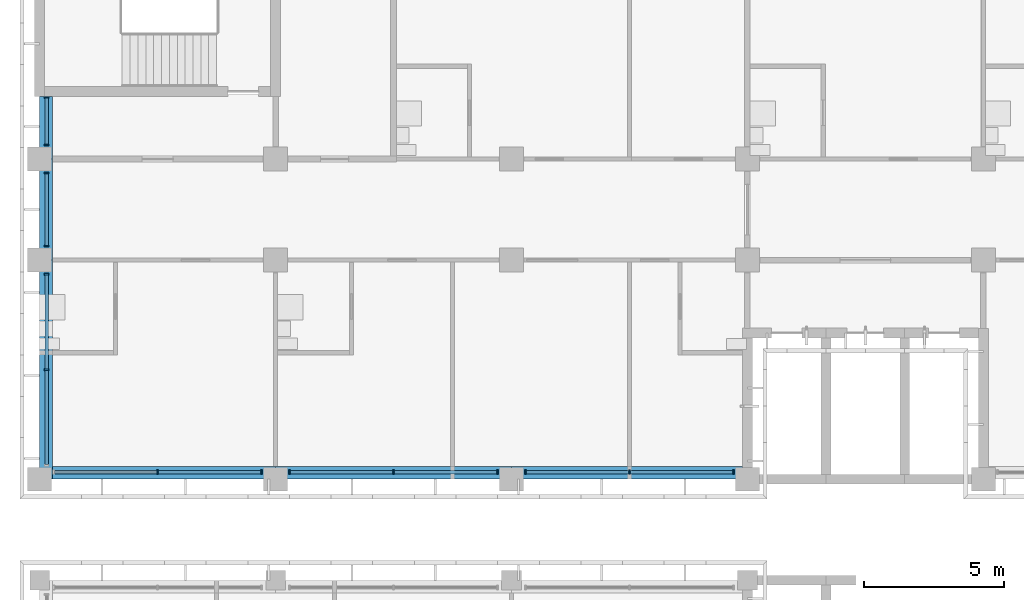
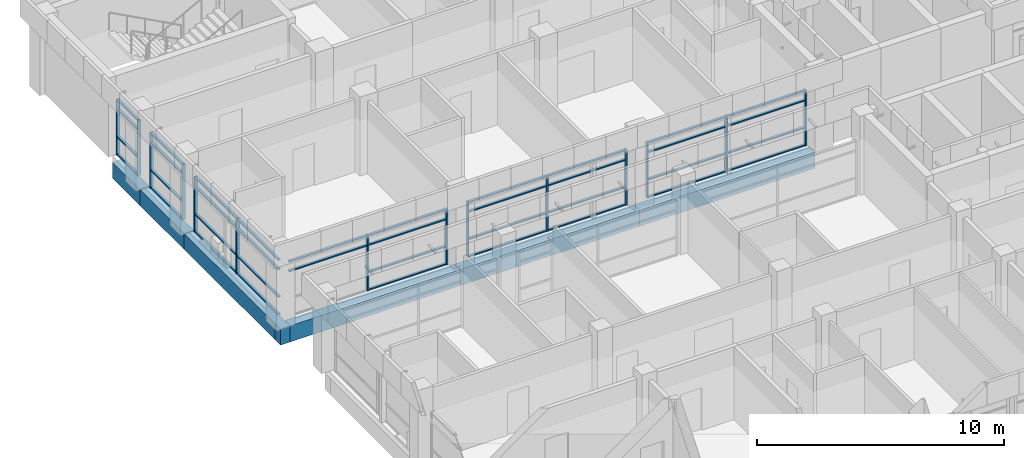
# One storey, part 5 of 74: 52 members, 6 beams, 6 elements without a shape of their own.
"""IFC4 building model written with IfcOpenShell, lengths in metres."""

from ifc_helpers import new_model, si_unit, direction, frame, origin, origin_2d, place, context, subcontext, project, spatial, rectangle, extrude, material, material_profile, profile_set, type_object, element, aggregate, save


model = new_model("IFC4")

# Units and contexts
model_context = context("Model", 3, precision=1e-05, world=origin(), true_north=direction((0.0, 1.0)))
body_context = subcontext(model_context, "Body", "Model", "MODEL_VIEW")
ifc_project = project(units=[si_unit("LENGTHUNIT", "METRE"), si_unit("AREAUNIT", "SQUARE_METRE"), si_unit("VOLUMEUNIT", "CUBIC_METRE"), si_unit("PLANEANGLEUNIT", "RADIAN"), si_unit("MASSUNIT", "GRAM", prefix="KILO")], contexts=[model_context])

# Site, building, storey
site_placement = place(None, origin())
site = spatial("IfcSite", under=ifc_project, at=site_placement, CompositionType="ELEMENT")
building_placement = place(site_placement, origin())
building = spatial("IfcBuilding", under=site, at=building_placement, Name="Bougainvillea Quay General Hospital", CompositionType="ELEMENT")
storey_placement = place(building_placement, frame((0.0, 0.0, 21.0)))
storey = spatial("IfcBuildingStorey", under=building, at=storey_placement, Name="L04", CompositionType="ELEMENT", Elevation=21.0)

# Curtain wall, members
ifc_material_1 = material(Name="Aluminium curtain wall system, powder-coated glazed", Category="aluminium")
curtain_wall_type_1 = type_object("IfcCurtainWallType", Name="Unitised curtain wall CW-1755", PredefinedType="NOTDEFINED", material=ifc_material_1)
curtain_wall_1_placement = place(storey_placement, origin())
curtain_wall_1 = element("IfcCurtainWall", 1, at=curtain_wall_1_placement, inside=storey, type_object=curtain_wall_type_1, Name="CW-4200 00", PredefinedType="NOTDEFINED")
ifc_material_2 = material(Name="Aluminium mullion, powder-coated charcoal", Category="aluminium")
ifc_material_profile_1 = material_profile(ifc_material_2, rectangle(XDim=0.159912109375, YDim=0.06005859375, at=origin_2d()))
ifc_profile_set_1 = profile_set([ifc_material_profile_1], Name="Aluminium mullion, powder-coated charcoal")
member_type_1 = type_object("IfcMemberType", Name="Curtain wall mullion 160x60", PredefinedType="MULLION", material=ifc_profile_set_1)
member_1_placement = place(storey_placement, frame((42.25, 153.9951171875, 0.0), z_axis=(0.0, 0.0, 1.0), x_axis=(1.0, 0.0, 0.0)))
member_1 = element("IfcMember", 2, at=member_1_placement, type_object=member_type_1, Name="CW-4200 mullion 1", PredefinedType="MULLION", context=body_context, shape_type="SweptSolid", body=[
    extrude(rectangle(XDim=0.159912109375, YDim=0.06005859375, at=origin_2d()), origin(), (0.0, 0.0, 1.0), 2.75),
])
member_2_placement = place(storey_placement, frame((42.25, 152.300048828125, 0.0), z_axis=(0.0, 0.0, 1.0), x_axis=(1.0, 0.0, 0.0)))
member_2 = element("IfcMember", 3, at=member_2_placement, type_object=member_type_1, Name="CW-4200 mullion 2", PredefinedType="MULLION", context=body_context, shape_type="SweptSolid", body=[
    extrude(rectangle(XDim=0.159912109375, YDim=0.06005859375, at=origin_2d()), origin(), (0.0, 0.0, 1.0), 2.75),
])

curtain_wall_type_2 = type_object("IfcCurtainWallType", Name="Unitised curtain wall CW-2660", PredefinedType="NOTDEFINED", material=ifc_material_1)
curtain_wall_2_placement = place(storey_placement, origin())
curtain_wall_2 = element("IfcCurtainWall", 4, at=curtain_wall_2_placement, inside=storey, type_object=curtain_wall_type_2, Name="CW-4200 01", PredefinedType="NOTDEFINED")
member_3_placement = place(storey_placement, frame((42.25, 151.300048828125, 0.0), z_axis=(0.0, 0.0, 1.0), x_axis=(1.0, 0.0, 0.0)))
member_3 = element("IfcMember", 5, at=member_3_placement, type_object=member_type_1, Name="CW-4200 mullion 1", PredefinedType="MULLION", context=body_context, shape_type="SweptSolid", body=[
    extrude(rectangle(XDim=0.159912109375, YDim=0.06005859375, at=origin_2d()), origin(), (0.0, 0.0, 1.0), 2.75),
])
member_4_placement = place(storey_placement, frame((42.25, 148.699951171875, 0.0), z_axis=(0.0, 0.0, 1.0), x_axis=(1.0, 0.0, 0.0)))
member_4 = element("IfcMember", 6, at=member_4_placement, type_object=member_type_1, Name="CW-4200 mullion 2", PredefinedType="MULLION", context=body_context, shape_type="SweptSolid", body=[
    extrude(rectangle(XDim=0.159912109375, YDim=0.06005859375, at=origin_2d()), origin(), (0.0, 0.0, 1.0), 2.75),
])

curtain_wall_type_3 = type_object("IfcCurtainWallType", Name="Unitised curtain wall CW-3430", PredefinedType="NOTDEFINED", material=ifc_material_1)
curtain_wall_3_placement = place(storey_placement, origin())
curtain_wall_3 = element("IfcCurtainWall", 7, at=curtain_wall_3_placement, inside=storey, type_object=curtain_wall_type_3, Name="CW-4200 02", PredefinedType="NOTDEFINED")
member_5_placement = place(storey_placement, frame((42.25, 147.699951171875, 0.0), z_axis=(0.0, 0.0, 1.0), x_axis=(1.0, 0.0, 0.0)))
member_5 = element("IfcMember", 8, at=member_5_placement, type_object=member_type_1, Name="CW-4200 mullion 1", PredefinedType="MULLION", context=body_context, shape_type="SweptSolid", body=[
    extrude(rectangle(XDim=0.159912109375, YDim=0.06005859375, at=origin_2d()), origin(), (0.0, 0.0, 1.0), 2.75),
])
member_6_placement = place(storey_placement, frame((42.25, 144.300048828125, 0.0), z_axis=(0.0, 0.0, 1.0), x_axis=(1.0, 0.0, 0.0)))
member_6 = element("IfcMember", 9, at=member_6_placement, type_object=member_type_1, Name="CW-4200 mullion 2", PredefinedType="MULLION", context=body_context, shape_type="SweptSolid", body=[
    extrude(rectangle(XDim=0.159912109375, YDim=0.06005859375, at=origin_2d()), origin(), (0.0, 0.0, 1.0), 2.75),
])

curtain_wall_type_4 = type_object("IfcCurtainWallType", Name="Unitised curtain wall CW-3730", PredefinedType="NOTDEFINED", material=ifc_material_1)
curtain_wall_4_placement = place(storey_placement, origin())
curtain_wall_4 = element("IfcCurtainWall", 10, at=curtain_wall_4_placement, inside=storey, type_object=curtain_wall_type_4, Name="CW-4200 00", PredefinedType="NOTDEFINED")
member_7_placement = place(storey_placement, frame((46.199951171875, 140.64990234375, 0.0), z_axis=(0.0, 0.0, 1.0), x_axis=(0.0, 1.0, 0.0)))
member_7 = element("IfcMember", 11, at=member_7_placement, type_object=member_type_1, Name="CW-4200 mullion 2", PredefinedType="MULLION", context=body_context, shape_type="SweptSolid", body=[
    extrude(rectangle(XDim=0.159912109375, YDim=0.06005859375, at=origin_2d()), origin(), (0.0, 0.0, 1.0), 2.75),
])
member_8_placement = place(storey_placement, frame((49.89990234375, 140.64990234375, 0.0), z_axis=(0.0, 0.0, 1.0), x_axis=(0.0, 1.0, 0.0)))
member_8 = element("IfcMember", 12, at=member_8_placement, type_object=member_type_1, Name="CW-4200 mullion 3", PredefinedType="MULLION", context=body_context, shape_type="SweptSolid", body=[
    extrude(rectangle(XDim=0.159912109375, YDim=0.06005859375, at=origin_2d()), origin(), (0.0, 0.0, 1.0), 2.75),
])

curtain_wall_5_placement = place(storey_placement, origin())
curtain_wall_5 = element("IfcCurtainWall", 13, at=curtain_wall_5_placement, inside=storey, type_object=curtain_wall_type_4, Name="CW-4200 01", PredefinedType="NOTDEFINED")
member_9_placement = place(storey_placement, frame((50.89990234375, 140.64990234375, 0.0), z_axis=(0.0, 0.0, 1.0), x_axis=(0.0, 1.0, 0.0)))
member_9 = element("IfcMember", 14, at=member_9_placement, type_object=member_type_1, Name="CW-4200 mullion 1", PredefinedType="MULLION", context=body_context, shape_type="SweptSolid", body=[
    extrude(rectangle(XDim=0.159912109375, YDim=0.06005859375, at=origin_2d()), origin(), (0.0, 0.0, 1.0), 2.75),
])
member_10_placement = place(storey_placement, frame((54.60009765625, 140.64990234375, 0.0), z_axis=(0.0, 0.0, 1.0), x_axis=(0.0, 1.0, 0.0)))
member_10 = element("IfcMember", 15, at=member_10_placement, type_object=member_type_1, Name="CW-4200 mullion 2", PredefinedType="MULLION", context=body_context, shape_type="SweptSolid", body=[
    extrude(rectangle(XDim=0.159912109375, YDim=0.06005859375, at=origin_2d()), origin(), (0.0, 0.0, 1.0), 2.75),
])
member_11_placement = place(storey_placement, frame((58.300048828125, 140.64990234375, 0.0), z_axis=(0.0, 0.0, 1.0), x_axis=(0.0, 1.0, 0.0)))
member_11 = element("IfcMember", 16, at=member_11_placement, type_object=member_type_1, Name="CW-4200 mullion 3", PredefinedType="MULLION", context=body_context, shape_type="SweptSolid", body=[
    extrude(rectangle(XDim=0.159912109375, YDim=0.06005859375, at=origin_2d()), origin(), (0.0, 0.0, 1.0), 2.75),
])

curtain_wall_6_placement = place(storey_placement, origin())
curtain_wall_6 = element("IfcCurtainWall", 17, at=curtain_wall_6_placement, inside=storey, type_object=curtain_wall_type_4, Name="CW-4200 02", PredefinedType="NOTDEFINED")
member_12_placement = place(storey_placement, frame((59.300048828125, 140.64990234375, 0.0), z_axis=(0.0, 0.0, 1.0), x_axis=(0.0, 1.0, 0.0)))
member_12 = element("IfcMember", 18, at=member_12_placement, type_object=member_type_1, Name="CW-4200 mullion 1", PredefinedType="MULLION", context=body_context, shape_type="SweptSolid", body=[
    extrude(rectangle(XDim=0.159912109375, YDim=0.06005859375, at=origin_2d()), origin(), (0.0, 0.0, 1.0), 2.75),
])
member_13_placement = place(storey_placement, frame((63.0, 140.64990234375, 0.0), z_axis=(0.0, 0.0, 1.0), x_axis=(0.0, 1.0, 0.0)))
member_13 = element("IfcMember", 19, at=member_13_placement, type_object=member_type_1, Name="CW-4200 mullion 2", PredefinedType="MULLION", context=body_context, shape_type="SweptSolid", body=[
    extrude(rectangle(XDim=0.159912109375, YDim=0.06005859375, at=origin_2d()), origin(), (0.0, 0.0, 1.0), 2.75),
])
member_14_placement = place(storey_placement, frame((66.699951171875, 140.64990234375, 0.0), z_axis=(0.0, 0.0, 1.0), x_axis=(0.0, 1.0, 0.0)))
member_14 = element("IfcMember", 20, at=member_14_placement, type_object=member_type_1, Name="CW-4200 mullion 3", PredefinedType="MULLION", context=body_context, shape_type="SweptSolid", body=[
    extrude(rectangle(XDim=0.159912109375, YDim=0.06005859375, at=origin_2d()), origin(), (0.0, 0.0, 1.0), 2.75),
])

# Member
ifc_material_3 = material(Name="Aluminium transom, powder-coated charcoal", Category="aluminium")
ifc_material_profile_2 = material_profile(ifc_material_3, rectangle(XDim=0.1201171875, YDim=0.06005859375, at=origin_2d()))
ifc_profile_set_2 = profile_set([ifc_material_profile_2], Name="Aluminium transom, powder-coated charcoal")
member_type_2 = type_object("IfcMemberType", Name="Curtain wall transom 120x60", PredefinedType="USERDEFINED", material=ifc_profile_set_2)
member_15_placement = place(storey_placement, frame((42.25, 153.965087890625, 0.030029296875), z_axis=(0.0, -1.0, 0.0), x_axis=(1.0, 0.0, 0.0)))
member_15 = element("IfcMember", 21, at=member_15_placement, type_object=member_type_2, Name="CW-4200 transom 1.1", ObjectType="TRANSOM", PredefinedType="USERDEFINED", context=body_context, shape_type="SweptSolid", body=[
    extrude(rectangle(XDim=0.1201171875, YDim=0.06005859375, at=origin_2d()), origin(), (0.0, 0.0, 1.0), 1.635009765625),
])

member_16_placement = place(storey_placement, frame((42.25, 153.965087890625, 0.89990234375), z_axis=(0.0, -1.0, 0.0), x_axis=(1.0, 0.0, 0.0)))
member_16 = element("IfcMember", 22, at=member_16_placement, type_object=member_type_2, Name="CW-4200 transom 1.2", ObjectType="TRANSOM", PredefinedType="USERDEFINED", context=body_context, shape_type="SweptSolid", body=[
    extrude(rectangle(XDim=0.1201171875, YDim=0.06005859375, at=origin_2d()), origin(), (0.0, 0.0, 1.0), 1.635009765625),
])

member_17_placement = place(storey_placement, frame((42.25, 153.965087890625, 2.25), z_axis=(0.0, -1.0, 0.0), x_axis=(1.0, 0.0, 0.0)))
member_17 = element("IfcMember", 23, at=member_17_placement, type_object=member_type_2, Name="CW-4200 transom 1.3", ObjectType="TRANSOM", PredefinedType="USERDEFINED", context=body_context, shape_type="SweptSolid", body=[
    extrude(rectangle(XDim=0.1201171875, YDim=0.06005859375, at=origin_2d()), origin(), (0.0, 0.0, 1.0), 1.635009765625),
])

member_18_placement = place(storey_placement, frame((42.25, 153.965087890625, 2.719970703125), z_axis=(0.0, -1.0, 0.0), x_axis=(1.0, 0.0, 0.0)))
member_18 = element("IfcMember", 24, at=member_18_placement, type_object=member_type_2, Name="CW-4200 transom 1.4", ObjectType="TRANSOM", PredefinedType="USERDEFINED", context=body_context, shape_type="SweptSolid", body=[
    extrude(rectangle(XDim=0.1201171875, YDim=0.06005859375, at=origin_2d()), origin(), (0.0, 0.0, 1.0), 1.635009765625),
])

aggregate(curtain_wall_1, [member_1, member_2, member_15, member_16, member_17, member_18])

member_19_placement = place(storey_placement, frame((42.25, 151.27001953125, 0.030029296875), z_axis=(0.0, -1.0, 0.0), x_axis=(1.0, 0.0, 0.0)))
member_19 = element("IfcMember", 25, at=member_19_placement, type_object=member_type_2, Name="CW-4200 transom 1.1", ObjectType="TRANSOM", PredefinedType="USERDEFINED", context=body_context, shape_type="SweptSolid", body=[
    extrude(rectangle(XDim=0.1201171875, YDim=0.06005859375, at=origin_2d()), origin(), (0.0, 0.0, 1.0), 2.5400390625),
])

member_20_placement = place(storey_placement, frame((42.25, 151.27001953125, 0.89990234375), z_axis=(0.0, -1.0, 0.0), x_axis=(1.0, 0.0, 0.0)))
member_20 = element("IfcMember", 26, at=member_20_placement, type_object=member_type_2, Name="CW-4200 transom 1.2", ObjectType="TRANSOM", PredefinedType="USERDEFINED", context=body_context, shape_type="SweptSolid", body=[
    extrude(rectangle(XDim=0.1201171875, YDim=0.06005859375, at=origin_2d()), origin(), (0.0, 0.0, 1.0), 2.5400390625),
])

member_21_placement = place(storey_placement, frame((42.25, 151.27001953125, 2.25), z_axis=(0.0, -1.0, 0.0), x_axis=(1.0, 0.0, 0.0)))
member_21 = element("IfcMember", 27, at=member_21_placement, type_object=member_type_2, Name="CW-4200 transom 1.3", ObjectType="TRANSOM", PredefinedType="USERDEFINED", context=body_context, shape_type="SweptSolid", body=[
    extrude(rectangle(XDim=0.1201171875, YDim=0.06005859375, at=origin_2d()), origin(), (0.0, 0.0, 1.0), 2.5400390625),
])

member_22_placement = place(storey_placement, frame((42.25, 151.27001953125, 2.719970703125), z_axis=(0.0, -1.0, 0.0), x_axis=(1.0, 0.0, 0.0)))
member_22 = element("IfcMember", 28, at=member_22_placement, type_object=member_type_2, Name="CW-4200 transom 1.4", ObjectType="TRANSOM", PredefinedType="USERDEFINED", context=body_context, shape_type="SweptSolid", body=[
    extrude(rectangle(XDim=0.1201171875, YDim=0.06005859375, at=origin_2d()), origin(), (0.0, 0.0, 1.0), 2.5400390625),
])

aggregate(curtain_wall_2, [member_3, member_4, member_19, member_20, member_21, member_22])

member_23_placement = place(storey_placement, frame((42.25, 147.669921875, 0.030029296875), z_axis=(0.0, -1.0, 0.0), x_axis=(1.0, 0.0, 0.0)))
member_23 = element("IfcMember", 29, at=member_23_placement, type_object=member_type_2, Name="CW-4200 transom 1.1", ObjectType="TRANSOM", PredefinedType="USERDEFINED", context=body_context, shape_type="SweptSolid", body=[
    extrude(rectangle(XDim=0.1201171875, YDim=0.06005859375, at=origin_2d()), origin(), (0.0, 0.0, 1.0), 3.33984375),
])

member_24_placement = place(storey_placement, frame((42.25, 147.669921875, 0.89990234375), z_axis=(0.0, -1.0, 0.0), x_axis=(1.0, 0.0, 0.0)))
member_24 = element("IfcMember", 30, at=member_24_placement, type_object=member_type_2, Name="CW-4200 transom 1.2", ObjectType="TRANSOM", PredefinedType="USERDEFINED", context=body_context, shape_type="SweptSolid", body=[
    extrude(rectangle(XDim=0.1201171875, YDim=0.06005859375, at=origin_2d()), origin(), (0.0, 0.0, 1.0), 3.33984375),
])

member_25_placement = place(storey_placement, frame((42.25, 147.669921875, 2.25), z_axis=(0.0, -1.0, 0.0), x_axis=(1.0, 0.0, 0.0)))
member_25 = element("IfcMember", 31, at=member_25_placement, type_object=member_type_2, Name="CW-4200 transom 1.3", ObjectType="TRANSOM", PredefinedType="USERDEFINED", context=body_context, shape_type="SweptSolid", body=[
    extrude(rectangle(XDim=0.1201171875, YDim=0.06005859375, at=origin_2d()), origin(), (0.0, 0.0, 1.0), 3.33984375),
])

member_26_placement = place(storey_placement, frame((42.25, 147.669921875, 2.719970703125), z_axis=(0.0, -1.0, 0.0), x_axis=(1.0, 0.0, 0.0)))
member_26 = element("IfcMember", 32, at=member_26_placement, type_object=member_type_2, Name="CW-4200 transom 1.4", ObjectType="TRANSOM", PredefinedType="USERDEFINED", context=body_context, shape_type="SweptSolid", body=[
    extrude(rectangle(XDim=0.1201171875, YDim=0.06005859375, at=origin_2d()), origin(), (0.0, 0.0, 1.0), 3.33984375),
])

member_27_placement = place(storey_placement, frame((42.25, 144.27001953125, 0.030029296875), z_axis=(0.0, -1.0, 0.0), x_axis=(1.0, 0.0, 0.0)))
member_27 = element("IfcMember", 33, at=member_27_placement, type_object=member_type_2, Name="CW-4200 transom 2.1", ObjectType="TRANSOM", PredefinedType="USERDEFINED", context=body_context, shape_type="SweptSolid", body=[
    extrude(rectangle(XDim=0.1201171875, YDim=0.06005859375, at=origin_2d()), origin(), (0.0, 0.0, 1.0), 3.340087890625),
])

member_28_placement = place(storey_placement, frame((42.25, 144.27001953125, 0.89990234375), z_axis=(0.0, -1.0, 0.0), x_axis=(1.0, 0.0, 0.0)))
member_28 = element("IfcMember", 34, at=member_28_placement, type_object=member_type_2, Name="CW-4200 transom 2.2", ObjectType="TRANSOM", PredefinedType="USERDEFINED", context=body_context, shape_type="SweptSolid", body=[
    extrude(rectangle(XDim=0.1201171875, YDim=0.06005859375, at=origin_2d()), origin(), (0.0, 0.0, 1.0), 3.340087890625),
])

member_29_placement = place(storey_placement, frame((42.25, 144.27001953125, 2.25), z_axis=(0.0, -1.0, 0.0), x_axis=(1.0, 0.0, 0.0)))
member_29 = element("IfcMember", 35, at=member_29_placement, type_object=member_type_2, Name="CW-4200 transom 2.3", ObjectType="TRANSOM", PredefinedType="USERDEFINED", context=body_context, shape_type="SweptSolid", body=[
    extrude(rectangle(XDim=0.1201171875, YDim=0.06005859375, at=origin_2d()), origin(), (0.0, 0.0, 1.0), 3.340087890625),
])

member_30_placement = place(storey_placement, frame((42.25, 144.27001953125, 2.719970703125), z_axis=(0.0, -1.0, 0.0), x_axis=(1.0, 0.0, 0.0)))
member_30 = element("IfcMember", 36, at=member_30_placement, type_object=member_type_2, Name="CW-4200 transom 2.4", ObjectType="TRANSOM", PredefinedType="USERDEFINED", context=body_context, shape_type="SweptSolid", body=[
    extrude(rectangle(XDim=0.1201171875, YDim=0.06005859375, at=origin_2d()), origin(), (0.0, 0.0, 1.0), 3.340087890625),
])

aggregate(curtain_wall_3, [member_5, member_6, member_23, member_24, member_25, member_26, member_27, member_28, member_29, member_30])

member_31_placement = place(storey_placement, frame((42.530029296875, 140.64990234375, 2.25), z_axis=(1.0, 0.0, 0.0), x_axis=(0.0, 1.0, 0.0)))
member_31 = element("IfcMember", 37, at=member_31_placement, type_object=member_type_2, Name="CW-4200 transom 1.3", ObjectType="TRANSOM", PredefinedType="USERDEFINED", context=body_context, shape_type="SweptSolid", body=[
    extrude(rectangle(XDim=0.1201171875, YDim=0.06005859375, at=origin_2d()), origin(), (0.0, 0.0, 1.0), 3.639892578125),
])

member_32_placement = place(storey_placement, frame((42.530029296875, 140.64990234375, 2.719970703125), z_axis=(1.0, 0.0, 0.0), x_axis=(0.0, 1.0, 0.0)))
member_32 = element("IfcMember", 38, at=member_32_placement, type_object=member_type_2, Name="CW-4200 transom 1.4", ObjectType="TRANSOM", PredefinedType="USERDEFINED", context=body_context, shape_type="SweptSolid", body=[
    extrude(rectangle(XDim=0.1201171875, YDim=0.06005859375, at=origin_2d()), origin(), (0.0, 0.0, 1.0), 3.639892578125),
])

member_33_placement = place(storey_placement, frame((46.22998046875, 140.64990234375, 0.030029296875), z_axis=(1.0, 0.0, 0.0), x_axis=(0.0, 1.0, 0.0)))
member_33 = element("IfcMember", 39, at=member_33_placement, type_object=member_type_2, Name="CW-4200 transom 2.1", ObjectType="TRANSOM", PredefinedType="USERDEFINED", context=body_context, shape_type="SweptSolid", body=[
    extrude(rectangle(XDim=0.1201171875, YDim=0.06005859375, at=origin_2d()), origin(), (0.0, 0.0, 1.0), 3.64013671875),
])

member_34_placement = place(storey_placement, frame((46.22998046875, 140.64990234375, 0.89990234375), z_axis=(1.0, 0.0, 0.0), x_axis=(0.0, 1.0, 0.0)))
member_34 = element("IfcMember", 40, at=member_34_placement, type_object=member_type_2, Name="CW-4200 transom 2.2", ObjectType="TRANSOM", PredefinedType="USERDEFINED", context=body_context, shape_type="SweptSolid", body=[
    extrude(rectangle(XDim=0.1201171875, YDim=0.06005859375, at=origin_2d()), origin(), (0.0, 0.0, 1.0), 3.64013671875),
])

member_35_placement = place(storey_placement, frame((46.22998046875, 140.64990234375, 2.25), z_axis=(1.0, 0.0, 0.0), x_axis=(0.0, 1.0, 0.0)))
member_35 = element("IfcMember", 41, at=member_35_placement, type_object=member_type_2, Name="CW-4200 transom 2.3", ObjectType="TRANSOM", PredefinedType="USERDEFINED", context=body_context, shape_type="SweptSolid", body=[
    extrude(rectangle(XDim=0.1201171875, YDim=0.06005859375, at=origin_2d()), origin(), (0.0, 0.0, 1.0), 3.64013671875),
])

member_36_placement = place(storey_placement, frame((46.22998046875, 140.64990234375, 2.719970703125), z_axis=(1.0, 0.0, 0.0), x_axis=(0.0, 1.0, 0.0)))
member_36 = element("IfcMember", 42, at=member_36_placement, type_object=member_type_2, Name="CW-4200 transom 2.4", ObjectType="TRANSOM", PredefinedType="USERDEFINED", context=body_context, shape_type="SweptSolid", body=[
    extrude(rectangle(XDim=0.1201171875, YDim=0.06005859375, at=origin_2d()), origin(), (0.0, 0.0, 1.0), 3.64013671875),
])

aggregate(curtain_wall_4, [member_7, member_8, member_31, member_32, member_33, member_34, member_35, member_36])

member_37_placement = place(storey_placement, frame((50.929931640625, 140.64990234375, 0.030029296875), z_axis=(1.0, 0.0, 0.0), x_axis=(0.0, 1.0, 0.0)))
member_37 = element("IfcMember", 43, at=member_37_placement, type_object=member_type_2, Name="CW-4200 transom 1.1", ObjectType="TRANSOM", PredefinedType="USERDEFINED", context=body_context, shape_type="SweptSolid", body=[
    extrude(rectangle(XDim=0.1201171875, YDim=0.06005859375, at=origin_2d()), origin(), (0.0, 0.0, 1.0), 3.64013671875),
])

member_38_placement = place(storey_placement, frame((50.929931640625, 140.64990234375, 0.89990234375), z_axis=(1.0, 0.0, 0.0), x_axis=(0.0, 1.0, 0.0)))
member_38 = element("IfcMember", 44, at=member_38_placement, type_object=member_type_2, Name="CW-4200 transom 1.2", ObjectType="TRANSOM", PredefinedType="USERDEFINED", context=body_context, shape_type="SweptSolid", body=[
    extrude(rectangle(XDim=0.1201171875, YDim=0.06005859375, at=origin_2d()), origin(), (0.0, 0.0, 1.0), 3.64013671875),
])

member_39_placement = place(storey_placement, frame((50.929931640625, 140.64990234375, 2.25), z_axis=(1.0, 0.0, 0.0), x_axis=(0.0, 1.0, 0.0)))
member_39 = element("IfcMember", 45, at=member_39_placement, type_object=member_type_2, Name="CW-4200 transom 1.3", ObjectType="TRANSOM", PredefinedType="USERDEFINED", context=body_context, shape_type="SweptSolid", body=[
    extrude(rectangle(XDim=0.1201171875, YDim=0.06005859375, at=origin_2d()), origin(), (0.0, 0.0, 1.0), 3.64013671875),
])

member_40_placement = place(storey_placement, frame((50.929931640625, 140.64990234375, 2.719970703125), z_axis=(1.0, 0.0, 0.0), x_axis=(0.0, 1.0, 0.0)))
member_40 = element("IfcMember", 46, at=member_40_placement, type_object=member_type_2, Name="CW-4200 transom 1.4", ObjectType="TRANSOM", PredefinedType="USERDEFINED", context=body_context, shape_type="SweptSolid", body=[
    extrude(rectangle(XDim=0.1201171875, YDim=0.06005859375, at=origin_2d()), origin(), (0.0, 0.0, 1.0), 3.64013671875),
])

member_41_placement = place(storey_placement, frame((54.6298828125, 140.64990234375, 0.030029296875), z_axis=(1.0, 0.0, 0.0), x_axis=(0.0, 1.0, 0.0)))
member_41 = element("IfcMember", 47, at=member_41_placement, type_object=member_type_2, Name="CW-4200 transom 2.1", ObjectType="TRANSOM", PredefinedType="USERDEFINED", context=body_context, shape_type="SweptSolid", body=[
    extrude(rectangle(XDim=0.1201171875, YDim=0.06005859375, at=origin_2d()), origin(), (0.0, 0.0, 1.0), 3.64013671875),
])

member_42_placement = place(storey_placement, frame((54.6298828125, 140.64990234375, 0.89990234375), z_axis=(1.0, 0.0, 0.0), x_axis=(0.0, 1.0, 0.0)))
member_42 = element("IfcMember", 48, at=member_42_placement, type_object=member_type_2, Name="CW-4200 transom 2.2", ObjectType="TRANSOM", PredefinedType="USERDEFINED", context=body_context, shape_type="SweptSolid", body=[
    extrude(rectangle(XDim=0.1201171875, YDim=0.06005859375, at=origin_2d()), origin(), (0.0, 0.0, 1.0), 3.64013671875),
])

member_43_placement = place(storey_placement, frame((54.6298828125, 140.64990234375, 2.25), z_axis=(1.0, 0.0, 0.0), x_axis=(0.0, 1.0, 0.0)))
member_43 = element("IfcMember", 49, at=member_43_placement, type_object=member_type_2, Name="CW-4200 transom 2.3", ObjectType="TRANSOM", PredefinedType="USERDEFINED", context=body_context, shape_type="SweptSolid", body=[
    extrude(rectangle(XDim=0.1201171875, YDim=0.06005859375, at=origin_2d()), origin(), (0.0, 0.0, 1.0), 3.64013671875),
])

member_44_placement = place(storey_placement, frame((54.6298828125, 140.64990234375, 2.719970703125), z_axis=(1.0, 0.0, 0.0), x_axis=(0.0, 1.0, 0.0)))
member_44 = element("IfcMember", 50, at=member_44_placement, type_object=member_type_2, Name="CW-4200 transom 2.4", ObjectType="TRANSOM", PredefinedType="USERDEFINED", context=body_context, shape_type="SweptSolid", body=[
    extrude(rectangle(XDim=0.1201171875, YDim=0.06005859375, at=origin_2d()), origin(), (0.0, 0.0, 1.0), 3.64013671875),
])

aggregate(curtain_wall_5, [member_9, member_10, member_11, member_37, member_38, member_39, member_40, member_41, member_42, member_43, member_44])

member_45_placement = place(storey_placement, frame((59.330078125, 140.64990234375, 0.030029296875), z_axis=(1.0, 0.0, 0.0), x_axis=(0.0, 1.0, 0.0)))
member_45 = element("IfcMember", 51, at=member_45_placement, type_object=member_type_2, Name="CW-4200 transom 1.1", ObjectType="TRANSOM", PredefinedType="USERDEFINED", context=body_context, shape_type="SweptSolid", body=[
    extrude(rectangle(XDim=0.1201171875, YDim=0.06005859375, at=origin_2d()), origin(), (0.0, 0.0, 1.0), 3.639892578125),
])

member_46_placement = place(storey_placement, frame((59.330078125, 140.64990234375, 0.89990234375), z_axis=(1.0, 0.0, 0.0), x_axis=(0.0, 1.0, 0.0)))
member_46 = element("IfcMember", 52, at=member_46_placement, type_object=member_type_2, Name="CW-4200 transom 1.2", ObjectType="TRANSOM", PredefinedType="USERDEFINED", context=body_context, shape_type="SweptSolid", body=[
    extrude(rectangle(XDim=0.1201171875, YDim=0.06005859375, at=origin_2d()), origin(), (0.0, 0.0, 1.0), 3.639892578125),
])

member_47_placement = place(storey_placement, frame((59.330078125, 140.64990234375, 2.25), z_axis=(1.0, 0.0, 0.0), x_axis=(0.0, 1.0, 0.0)))
member_47 = element("IfcMember", 53, at=member_47_placement, type_object=member_type_2, Name="CW-4200 transom 1.3", ObjectType="TRANSOM", PredefinedType="USERDEFINED", context=body_context, shape_type="SweptSolid", body=[
    extrude(rectangle(XDim=0.1201171875, YDim=0.06005859375, at=origin_2d()), origin(), (0.0, 0.0, 1.0), 3.639892578125),
])

member_48_placement = place(storey_placement, frame((59.330078125, 140.64990234375, 2.719970703125), z_axis=(1.0, 0.0, 0.0), x_axis=(0.0, 1.0, 0.0)))
member_48 = element("IfcMember", 54, at=member_48_placement, type_object=member_type_2, Name="CW-4200 transom 1.4", ObjectType="TRANSOM", PredefinedType="USERDEFINED", context=body_context, shape_type="SweptSolid", body=[
    extrude(rectangle(XDim=0.1201171875, YDim=0.06005859375, at=origin_2d()), origin(), (0.0, 0.0, 1.0), 3.639892578125),
])

member_49_placement = place(storey_placement, frame((63.030029296875, 140.64990234375, 0.030029296875), z_axis=(1.0, 0.0, 0.0), x_axis=(0.0, 1.0, 0.0)))
member_49 = element("IfcMember", 55, at=member_49_placement, type_object=member_type_2, Name="CW-4200 transom 2.1", ObjectType="TRANSOM", PredefinedType="USERDEFINED", context=body_context, shape_type="SweptSolid", body=[
    extrude(rectangle(XDim=0.1201171875, YDim=0.06005859375, at=origin_2d()), origin(), (0.0, 0.0, 1.0), 3.639892578125),
])

member_50_placement = place(storey_placement, frame((63.030029296875, 140.64990234375, 0.89990234375), z_axis=(1.0, 0.0, 0.0), x_axis=(0.0, 1.0, 0.0)))
member_50 = element("IfcMember", 56, at=member_50_placement, type_object=member_type_2, Name="CW-4200 transom 2.2", ObjectType="TRANSOM", PredefinedType="USERDEFINED", context=body_context, shape_type="SweptSolid", body=[
    extrude(rectangle(XDim=0.1201171875, YDim=0.06005859375, at=origin_2d()), origin(), (0.0, 0.0, 1.0), 3.639892578125),
])

member_51_placement = place(storey_placement, frame((63.030029296875, 140.64990234375, 2.25), z_axis=(1.0, 0.0, 0.0), x_axis=(0.0, 1.0, 0.0)))
member_51 = element("IfcMember", 57, at=member_51_placement, type_object=member_type_2, Name="CW-4200 transom 2.3", ObjectType="TRANSOM", PredefinedType="USERDEFINED", context=body_context, shape_type="SweptSolid", body=[
    extrude(rectangle(XDim=0.1201171875, YDim=0.06005859375, at=origin_2d()), origin(), (0.0, 0.0, 1.0), 3.639892578125),
])

member_52_placement = place(storey_placement, frame((63.030029296875, 140.64990234375, 2.719970703125), z_axis=(1.0, 0.0, 0.0), x_axis=(0.0, 1.0, 0.0)))
member_52 = element("IfcMember", 58, at=member_52_placement, type_object=member_type_2, Name="CW-4200 transom 2.4", ObjectType="TRANSOM", PredefinedType="USERDEFINED", context=body_context, shape_type="SweptSolid", body=[
    extrude(rectangle(XDim=0.1201171875, YDim=0.06005859375, at=origin_2d()), origin(), (0.0, 0.0, 1.0), 3.639892578125),
])

aggregate(curtain_wall_6, [member_12, member_13, member_14, member_45, member_46, member_47, member_48, member_49, member_50, member_51, member_52])

# Beams
ifc_material_4 = material(Name="Concrete C40", Category="concrete")
ifc_material_profile_3 = material_profile(ifc_material_4, rectangle(XDim=0.449951171875, YDim=0.800048828125, at=origin_2d()))
ifc_profile_set_3 = profile_set([ifc_material_profile_3], Name="Concrete C40")
beam_type = type_object("IfcBeamType", Name="RC BEAM 450x800 C40", PredefinedType="BEAM", material=ifc_profile_set_3)
beam_1_placement = place(storey_placement, frame((42.22509765625, 154.02490234375, -0.699951171875), z_axis=(0.0, -1.0, 0.0), x_axis=(1.0, 0.0, 0.0)))
element("IfcBeam", 59, at=beam_1_placement, inside=storey, type_object=beam_type, Name="Edge beam L04", PredefinedType="BEAM", context=body_context, shape_type="SweptSolid", body=[
    extrude(rectangle(XDim=0.449951171875, YDim=0.800048828125, at=origin_2d()), origin(), (0.0, 0.0, 1.0), 2.224853515625),
])
beam_2_placement = place(storey_placement, frame((42.22509765625, 151.800048828125, -0.699951171875), z_axis=(0.0, -1.0, 0.0), x_axis=(1.0, 0.0, 0.0)))
element("IfcBeam", 60, at=beam_2_placement, inside=storey, type_object=beam_type, Name="Edge beam L04", PredefinedType="BEAM", context=body_context, shape_type="SweptSolid", body=[
    extrude(rectangle(XDim=0.449951171875, YDim=0.800048828125, at=origin_2d()), origin(), (0.0, 0.0, 1.0), 3.60009765625),
])
beam_3_placement = place(storey_placement, frame((42.22509765625, 148.199951171875, -0.699951171875), z_axis=(0.0, -1.0, 0.0), x_axis=(1.0, 0.0, 0.0)))
element("IfcBeam", 61, at=beam_3_placement, inside=storey, type_object=beam_type, Name="Edge beam L04", PredefinedType="BEAM", context=body_context, shape_type="SweptSolid", body=[
    extrude(rectangle(XDim=0.449951171875, YDim=0.800048828125, at=origin_2d()), origin(), (0.0, 0.0, 1.0), 7.800048828125),
])
beam_4_placement = place(storey_placement, frame((42.0, 140.625, -0.699951171875), z_axis=(1.0, 0.0, 0.0), x_axis=(0.0, 1.0, 0.0)))
element("IfcBeam", 62, at=beam_4_placement, inside=storey, type_object=beam_type, Name="Edge beam L04", PredefinedType="BEAM", context=body_context, shape_type="SweptSolid", body=[
    extrude(rectangle(XDim=0.449951171875, YDim=0.800048828125, at=origin_2d()), origin(), (0.0, 0.0, 1.0), 8.39990234375),
])
beam_5_placement = place(storey_placement, frame((50.39990234375, 140.625, -0.699951171875), z_axis=(1.0, 0.0, 0.0), x_axis=(0.0, 1.0, 0.0)))
element("IfcBeam", 63, at=beam_5_placement, inside=storey, type_object=beam_type, Name="Edge beam L04", PredefinedType="BEAM", context=body_context, shape_type="SweptSolid", body=[
    extrude(rectangle(XDim=0.449951171875, YDim=0.800048828125, at=origin_2d()), origin(), (0.0, 0.0, 1.0), 8.400146484375),
])
beam_6_placement = place(storey_placement, frame((58.800048828125, 140.625, -0.699951171875), z_axis=(1.0, 0.0, 0.0), x_axis=(0.0, 1.0, 0.0)))
element("IfcBeam", 64, at=beam_6_placement, inside=storey, type_object=beam_type, Name="Edge beam L04", PredefinedType="BEAM", context=body_context, shape_type="SweptSolid", body=[
    extrude(rectangle(XDim=0.449951171875, YDim=0.800048828125, at=origin_2d()), origin(), (0.0, 0.0, 1.0), 8.224853515625),
])

save(model, "model.ifc")
